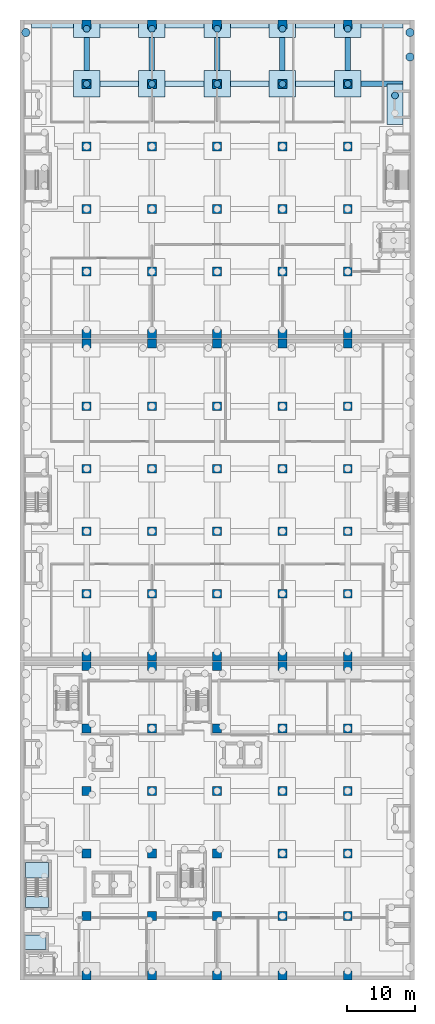
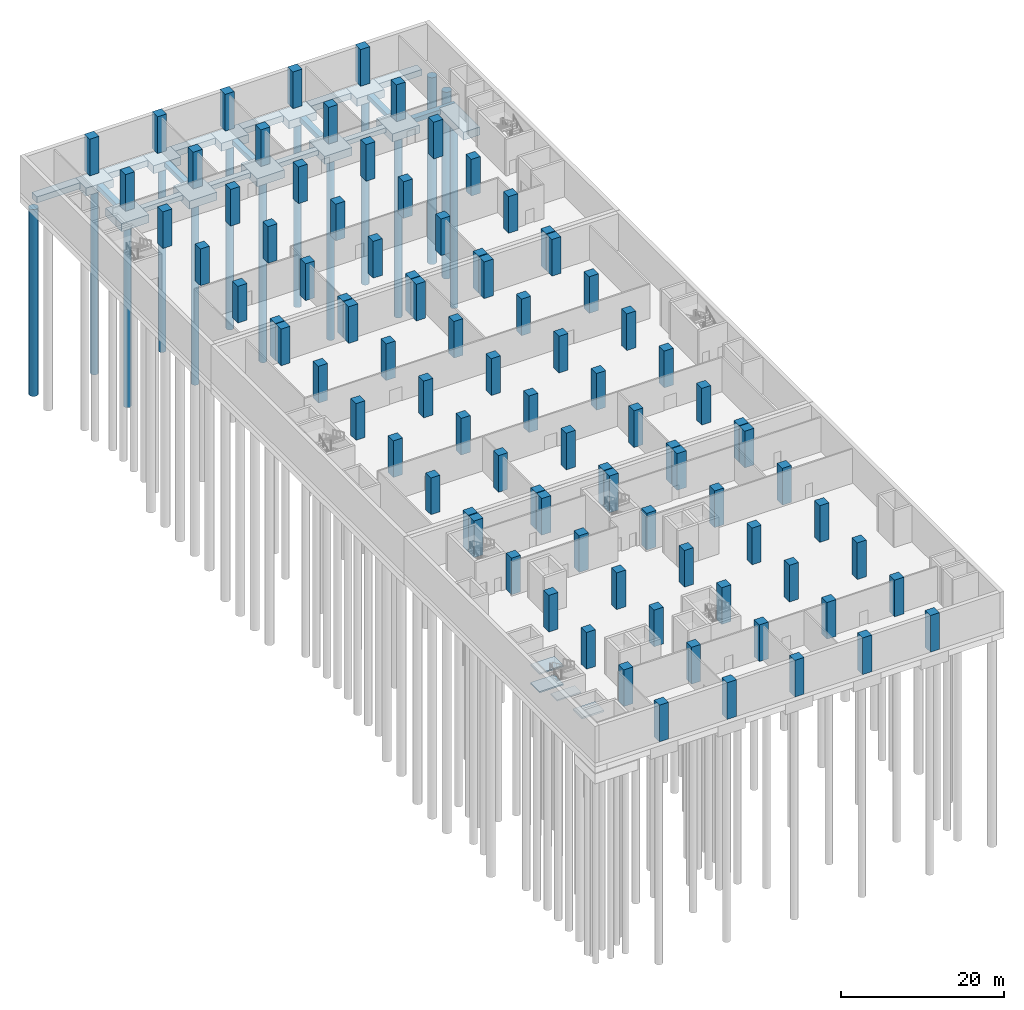
# One storey, part 8 of 33: 90 columns, 27 footings, 14 piles, 4 slabs, 1 element without a shape of its own.
"""IFC4 building model written with IfcOpenShell, lengths in metres."""

import ifcopenshell
import ifcopenshell.guid

model = None  # the IFC model being written
_history = None  # IfcOwnerHistory: only IFC2X3 demands one
_inside = {}  # id of a spatial element -> (the spatial element, [elements in it])
_under = {}  # id of a project, library or spatial element -> (it, [spatial elements below it])
_declared = {}  # id of a project -> (the project, [libraries it declares])
_typed = {}  # id of a type object -> (the type object, [elements of that type])
_made_of = {}  # id of a material, layer set ... -> (it, [elements and type objects made of it])


def new_model(schema):
    """Start an empty IFC model of exactly this schema.

    Asked for "IFC4X3", IfcOpenShell would pick the latest addendum, in which some entities
    have other attributes; the version numbers below select the first issue.
    IFC2X3 requires an IfcOwnerHistory on every rooted entity: one is made here for all.
    """
    global model, _history
    if schema == "IFC4X3":
        model = ifcopenshell.file(schema_version=(4, 3, 0, 0))
    else:
        model = ifcopenshell.file(schema=schema)
    _inside.clear()
    _under.clear()
    _declared.clear()
    _typed.clear()
    _made_of.clear()
    _history = None
    if model.schema == "IFC2X3":
        org = make("IfcOrganization", Name="unknown")
        user = make(
            "IfcPersonAndOrganization",
            ThePerson=make("IfcPerson", FamilyName="unknown"),
            TheOrganization=org,
        )
        app = make(
            "IfcApplication",
            ApplicationDeveloper=org,
            Version="unknown",
            ApplicationFullName="unknown",
            ApplicationIdentifier="unknown",
        )
        _history = make(
            "IfcOwnerHistory",
            OwningUser=user,
            OwningApplication=app,
            ChangeAction="ADDED",
            CreationDate=0,
        )
    return model


def make(cls, **values):
    """One entity of the class cls with the attributes given. An attribute that is None is left unset."""
    return model.create_entity(
        cls, **{name: value for name, value in values.items() if value is not None}
    )


def rooted(cls, **values):
    """An entity with a GlobalId (a new one), such as an element, a storey or a relation."""
    return make(cls, GlobalId=ifcopenshell.guid.new(), OwnerHistory=_history, **values)


def si_unit(unit_type, name, prefix=None):
    """IfcSIUnit, for example si_unit("LENGTHUNIT", "METRE", prefix="MILLI")."""
    return make("IfcSIUnit", UnitType=unit_type, Prefix=prefix, Name=name)


def assignment(units):
    """IfcUnitAssignment: the units of a project."""
    return None if units is None else make("IfcUnitAssignment", Units=units)


def point(xyz):
    """IfcCartesianPoint."""
    return None if xyz is None else make("IfcCartesianPoint", Coordinates=xyz)


def direction(xyz):
    """IfcDirection."""
    return None if xyz is None else make("IfcDirection", DirectionRatios=xyz)


def frame(location, z_axis=None, x_axis=None):
    """IfcAxis2Placement3D, a coordinate frame: its origin and axes. An axis left out is left unset."""
    return make(
        "IfcAxis2Placement3D",
        Location=point(location),
        Axis=direction(z_axis),
        RefDirection=direction(x_axis),
    )


def frame_2d(location, x_axis=None):
    """IfcAxis2Placement2D, a coordinate frame in the plane: its origin and x axis."""
    return make(
        "IfcAxis2Placement2D", Location=point(location), RefDirection=direction(x_axis)
    )


def origin():
    """The frame at (0, 0, 0) with its axes left unset."""
    return frame((0.0, 0.0, 0.0))


def origin_2d():
    """The frame at (0, 0) in the plane with its x axis left unset."""
    return frame_2d((0.0, 0.0))


def place(relative_to, where):
    """IfcLocalPlacement: puts the frame where relative to a parent placement (None: the world)."""
    return make(
        "IfcLocalPlacement", PlacementRelTo=relative_to, RelativePlacement=where
    )


def context(
    kind, dimensions, precision=None, world=None, true_north=None, identifier=None
):
    """IfcGeometricRepresentationContext, for example the 3D "Model" context."""
    return make(
        "IfcGeometricRepresentationContext",
        ContextIdentifier=identifier,
        ContextType=kind,
        CoordinateSpaceDimension=dimensions,
        Precision=precision,
        WorldCoordinateSystem=world,
        TrueNorth=true_north,
    )


def subcontext(parent, identifier, kind, view, scale=None):
    """IfcGeometricRepresentationSubContext, for example "Body" below "Model"."""
    return make(
        "IfcGeometricRepresentationSubContext",
        ContextIdentifier=identifier,
        ContextType=kind,
        ParentContext=parent,
        TargetScale=scale,
        TargetView=view,
    )


def project(units=None, contexts=None):
    """IfcProject with its units and contexts."""
    return rooted(
        "IfcProject",
        Name="project",
        RepresentationContexts=contexts,
        UnitsInContext=assignment(units),
    )


def spatial(cls, under=None, at=None, **own):
    """A site, building, storey or space (cls), placed at a placement, below another one or the project."""
    s = rooted(cls, ObjectPlacement=at, **own)
    if under is not None:
        _under.setdefault(under.id(), (under, []))[1].append(s)
    return s


def polyline(points):
    """IfcPolyline through the points."""
    return make("IfcPolyline", Points=[point(p) for p in points])


def profile(cls, at=None, kind="AREA", **sizes):
    """A parametric profile (cls). Its sizes go by their IFC names, for example OverallWidth=200.0."""
    return make(cls, ProfileType=kind, Position=at, **sizes)


def rectangle(**sizes):
    """IfcRectangleProfileDef."""
    return profile("IfcRectangleProfileDef", **sizes)


def circle(**sizes):
    """IfcCircleProfileDef."""
    return profile("IfcCircleProfileDef", **sizes)


def outline(outer, holes=None, kind="AREA"):
    """IfcArbitraryClosedProfileDef: a profile drawn as a closed curve; with holes, ...WithVoids."""
    if holes is None:
        return make("IfcArbitraryClosedProfileDef", ProfileType=kind, OuterCurve=outer)
    return make(
        "IfcArbitraryProfileDefWithVoids",
        ProfileType=kind,
        OuterCurve=outer,
        InnerCurves=holes,
    )


def extrude(swept, where, along, depth):
    """IfcExtrudedAreaSolid: the profile swept, set in the frame where, extruded along a direction by depth."""
    return make(
        "IfcExtrudedAreaSolid",
        SweptArea=swept,
        Position=where,
        ExtrudedDirection=direction(along),
        Depth=depth,
    )


def shape(context_of_items, identifier, shape_type, items):
    """IfcShapeRepresentation: the items that make up one representation, for example the "Body"."""
    return make(
        "IfcShapeRepresentation",
        ContextOfItems=context_of_items,
        RepresentationIdentifier=identifier,
        RepresentationType=shape_type,
        Items=items,
    )


def material(Name=None, Category=None):
    """IfcMaterial."""
    return make("IfcMaterial", Name=Name, Category=Category)


def layer(
    of_material, thickness, ventilated=None, Name=None, Category=None, Priority=None
):
    """IfcMaterialLayer: one layer of a wall or slab, of a material (None: an air gap)."""
    return make(
        "IfcMaterialLayer",
        Material=of_material,
        LayerThickness=thickness,
        IsVentilated=ventilated,
        Name=Name,
        Category=Category,
        Priority=Priority,
    )


def layer_set(layers, Name=None):
    """IfcMaterialLayerSet."""
    return make("IfcMaterialLayerSet", MaterialLayers=layers, LayerSetName=Name)


def material_profile(
    of_material, cross_section, Name=None, Category=None, Priority=None
):
    """IfcMaterialProfile: a cross section and its material."""
    return make(
        "IfcMaterialProfile",
        Name=Name,
        Material=of_material,
        Profile=cross_section,
        Priority=Priority,
        Category=Category,
    )


def profile_set(profiles, Name=None, composite=None):
    """IfcMaterialProfileSet."""
    return make(
        "IfcMaterialProfileSet",
        Name=Name,
        MaterialProfiles=profiles,
        CompositeProfile=composite,
    )


def made_of(thing, what):
    """Note that an element or type object is made of a material, layer set ...; save() writes the relation."""
    if what is not None:
        _made_of.setdefault(what.id(), (what, []))[1].append(thing)
    return thing


def type_object(cls, material=None, **own):
    """A type object (cls), such as IfcWallType, which elements share."""
    return made_of(rooted(cls, **own), material)


def element(
    cls,
    number,
    at=None,
    inside=None,
    cuts=None,
    type_object=None,
    material=None,
    context=None,
    identifier="Body",
    shape_type=None,
    held_by="IfcProductDefinitionShape",
    body=None,
    shapes=None,
    **own,
):
    """One element of the class cls, such as IfcWall. Its Tag is "e" and its number.

    at: its placement. inside: the storey or other place that contains it. cuts: it is an
    opening in that element (IfcRelVoidsElement). A single representation is given by context,
    identifier, shape_type and body (its items); several are given by shapes. held_by: the class
    of the entity that holds the representations. save() writes the other relations.
    """
    e = rooted(cls, Tag="e%d" % number, ObjectPlacement=at, **own)
    if body is not None:
        shapes = [shape(context, identifier, shape_type, body)]
    if shapes is not None:
        e.Representation = make(held_by, Representations=shapes)
    if inside is not None:
        _inside.setdefault(inside.id(), (inside, []))[1].append(e)
    if cuts is not None:
        rooted(
            "IfcRelVoidsElement", RelatingBuildingElement=cuts, RelatedOpeningElement=e
        )
    if type_object is not None:
        _typed.setdefault(type_object.id(), (type_object, []))[1].append(e)
    return made_of(e, material)


def aggregate(whole, parts):
    """IfcRelAggregates: a whole, such as a stair, and the parts it consists of."""
    return rooted("IfcRelAggregates", RelatingObject=whole, RelatedObjects=parts)


def save(model, path):
    """Write the relations noted so far, then the file.

    IfcRelAggregates (storeys below a building ...), IfcRelContainedInSpatialStructure (elements
    in a storey), IfcRelDefinesByType, IfcRelAssociatesMaterial and IfcRelDeclares: one each for
    every whole, place, type object, material and project.
    """
    for whole, parts in _under.values():
        aggregate(whole, parts)
    for where, things in _inside.values():
        rooted(
            "IfcRelContainedInSpatialStructure",
            RelatedElements=things,
            RelatingStructure=where,
        )
    for kind, things in _typed.values():
        rooted("IfcRelDefinesByType", RelatedObjects=things, RelatingType=kind)
    for what, things in _made_of.values():
        rooted("IfcRelAssociatesMaterial", RelatedObjects=things, RelatingMaterial=what)
    for by, libraries in _declared.values():
        rooted("IfcRelDeclares", RelatingContext=by, RelatedDefinitions=libraries)
    model.write(path)


model = new_model("IFC4")

# Units and contexts
model_context = context("Model", 3, precision=1e-05, world=origin(), true_north=direction((0.0, 1.0)))
body_context = subcontext(model_context, "Body", "Model", "MODEL_VIEW")
ifc_project = project(units=[si_unit("LENGTHUNIT", "METRE"), si_unit("AREAUNIT", "SQUARE_METRE"), si_unit("VOLUMEUNIT", "CUBIC_METRE"), si_unit("PLANEANGLEUNIT", "RADIAN"), si_unit("MASSUNIT", "GRAM", prefix="KILO")], contexts=[model_context])

# Site, building, storey
site_placement = place(None, origin())
site = spatial("IfcSite", under=ifc_project, at=site_placement, CompositionType="ELEMENT")
building_placement = place(site_placement, origin())
building = spatial("IfcBuilding", under=site, at=building_placement, Name="Nzadi Deep Aquarium and Research Tower", CompositionType="ELEMENT")
storey_placement = place(building_placement, frame((0.0, 0.0, -5.5)))
storey = spatial("IfcBuildingStorey", under=building, at=storey_placement, Name="B1", CompositionType="ELEMENT", Elevation=-5.5)

# Piles
ifc_material_1 = material(Name="Concrete C40/50", Category="concrete")
ifc_material_profile_1 = material_profile(ifc_material_1, circle(Radius=0.5, at=origin_2d()))
ifc_profile_set_1 = profile_set([ifc_material_profile_1], Name="Concrete C40/50")
pile_type_1 = type_object("IfcPileType", Name="Bored pile D1000", PredefinedType="BORED", material=ifc_profile_set_1)
for number, where, z_axis, x_axis, name in (
    (1, (54.949951171875, 129.900146484375, -1.699951171875), (0.0, 0.0, -1.0), (1.0, 0.0, 0.0), "P-Z3-24-2"),
    (2, (9.60009765625, 131.60009765625, -1.699951171875), (0.0, 0.0, -1.0), (1.0, 0.0, 0.0), "P-Z3-25-1"),
    (3, (19.199951171875, 131.60009765625, -1.699951171875), (0.0, 0.0, -1.0), (1.0, 0.0, 0.0), "P-Z3-26-1"),
    (4, (28.800048828125, 131.60009765625, -1.699951171875), (0.0, 0.0, -1.0), (1.0, 0.0, 0.0), "P-Z3-27-1"),
    (5, (38.39990234375, 131.60009765625, -1.699951171875), (0.0, 0.0, -1.0), (1.0, 0.0, 0.0), "P-Z3-28-1"),
    (6, (48.0, 131.60009765625, -1.699951171875), (0.0, 0.0, -1.0), (1.0, 0.0, 0.0), "P-Z3-29-1"),
    (7, (9.60009765625, 139.7001953125, -1.699951171875), (0.0, 0.0, -1.0), (1.0, 0.0, 0.0), "P-Z3-30-1"),
    (8, (19.2001953125, 139.7001953125, -1.699951171875), (0.0, 0.0, -1.0), (1.0, 0.0, 0.0), "P-Z3-31-1"),
    (9, (28.800048828125, 139.7001953125, -1.699951171875), (0.0, 0.0, -1.0), (1.0, 0.0, 0.0), "P-Z3-32-1"),
    (10, (38.400146484375, 139.7001953125, -1.699951171875), (0.0, 0.0, -1.0), (1.0, 0.0, 0.0), "P-Z3-33-1"),
    (11, (48.000244140625, 139.7001953125, -1.699951171875), (0.0, 0.0, -1.0), (1.0, 0.0, 0.0), "P-Z3-34-1"),
):
    element("IfcPile", number, at=place(storey_placement, frame(where, z_axis=z_axis, x_axis=x_axis)), inside=storey, type_object=pile_type_1, Name=name, PredefinedType="BORED", context=body_context, shape_type="SweptSolid", body=[
        extrude(circle(Radius=0.5, at=origin_2d()), origin(), (0.0, 0.0, 1.0), 28.0),
    ])
ifc_material_2 = material(Name="Concrete C40/50", Category="concrete")
ifc_material_profile_2 = material_profile(ifc_material_2, circle(Radius=0.60009765625, at=origin_2d()))
ifc_profile_set_2 = profile_set([ifc_material_profile_2], Name="Concrete C40/50")
pile_type_2 = type_object("IfcPileType", Name="Bored pile D1200", PredefinedType="BORED", material=ifc_profile_set_2)
for number, where, z_axis, x_axis, name in (
    (12, (0.64990234375, 139.159912109375, -1.39990234375), (0.0, 0.0, -1.0), (1.0, 0.0, 0.0), "P-Z3-Z3-W-7"),
    (13, (57.14990234375, 135.56005859375, -1.39990234375), (0.0, 0.0, -1.0), (1.0, 0.0, 0.0), "P-Z3-Z3-E-4"),
    (14, (57.14990234375, 139.159912109375, -1.39990234375), (0.0, 0.0, -1.0), (1.0, 0.0, 0.0), "P-Z3-Z3-E-5"),
):
    element("IfcPile", number, at=place(storey_placement, frame(where, z_axis=z_axis, x_axis=x_axis)), inside=storey, type_object=pile_type_2, Name=name, PredefinedType="BORED", context=body_context, shape_type="SweptSolid", body=[
        extrude(circle(Radius=0.60009765625, at=origin_2d()), origin(), (0.0, 0.0, 1.0), 28.0),
    ])

# Footings
ifc_material_3 = material(Name="Concrete C40/50", Category="concrete")
ifc_layer_1 = layer(ifc_material_3, 0.699951171875)
ifc_layer_set_1 = layer_set([ifc_layer_1], Name="Concrete C40/50")
footing_type_1 = type_object("IfcFootingType", Name="RC ground beam 700", PredefinedType="FOOTING_BEAM", material=ifc_layer_set_1)
footing_1_placement = place(storey_placement, frame((0.0, 0.0, -1.300048828125)))
element("IfcFooting", 15, at=footing_1_placement, inside=storey, type_object=footing_type_1, Name="SF-Z3-TX17-2", PredefinedType="FOOTING_BEAM", context=body_context, shape_type="SweptSolid", body=[
    extrude(outline(polyline([(17.25, 132.0), (11.550048828125, 132.0), (11.550048828125, 131.199951171875), (17.25, 131.199951171875), (17.25, 132.0)])), origin(), (0.0, 0.0, 1.0), 0.699951171875),
])
footing_2_placement = place(storey_placement, frame((0.0, 0.0, -1.300048828125)))
element("IfcFooting", 16, at=footing_2_placement, inside=storey, type_object=footing_type_1, Name="SF-Z3-TX17-3", PredefinedType="FOOTING_BEAM", context=body_context, shape_type="SweptSolid", body=[
    extrude(outline(polyline([(26.85009765625, 132.0), (21.14990234375, 132.0), (21.14990234375, 131.199951171875), (26.85009765625, 131.199951171875), (26.85009765625, 132.0)])), origin(), (0.0, 0.0, 1.0), 0.699951171875),
])
footing_3_placement = place(storey_placement, frame((0.0, 0.0, -1.300048828125)))
element("IfcFooting", 17, at=footing_3_placement, inside=storey, type_object=footing_type_1, Name="SF-Z3-TX17-4", PredefinedType="FOOTING_BEAM", context=body_context, shape_type="SweptSolid", body=[
    extrude(outline(polyline([(36.449951171875, 132.0), (30.75, 132.0), (30.75, 131.199951171875), (36.449951171875, 131.199951171875), (36.449951171875, 132.0)])), origin(), (0.0, 0.0, 1.0), 0.699951171875),
])
footing_4_placement = place(storey_placement, frame((0.0, 0.0, -1.300048828125)))
element("IfcFooting", 18, at=footing_4_placement, inside=storey, type_object=footing_type_1, Name="SF-Z3-TX17-5", PredefinedType="FOOTING_BEAM", context=body_context, shape_type="SweptSolid", body=[
    extrude(outline(polyline([(46.050048828125, 132.0), (40.35009765625, 132.0), (40.35009765625, 131.199951171875), (46.050048828125, 131.199951171875), (46.050048828125, 132.0)])), origin(), (0.0, 0.0, 1.0), 0.699951171875),
])
footing_5_placement = place(storey_placement, frame((0.0, 0.0, -1.300048828125)))
element("IfcFooting", 19, at=footing_5_placement, inside=storey, type_object=footing_type_1, Name="SF-Z3-TX17-6", PredefinedType="FOOTING_BEAM", context=body_context, shape_type="SweptSolid", body=[
    extrude(outline(polyline([(56.10009765625, 131.598876953125), (56.10009765625, 132.0), (49.949951171875, 132.0), (49.949951171875, 131.199951171875), (53.800048828125, 131.199951171875), (53.800048828125, 131.598876953125), (53.800048828125, 131.599853515625), (53.80126953125, 131.60009765625), (56.098876953125, 131.60009765625), (56.099853515625, 131.599853515625), (56.10009765625, 131.598876953125)])), origin(), (0.0, 0.0, 1.0), 0.699951171875),
])
footing_6_placement = place(storey_placement, frame((0.0, 0.0, -1.300048828125)))
element("IfcFooting", 20, at=footing_6_placement, inside=storey, type_object=footing_type_1, Name="SF-Z3-TYB-5", PredefinedType="FOOTING_BEAM", context=body_context, shape_type="SweptSolid", body=[
    extrude(outline(polyline([(10.0, 133.550048828125), (10.0, 138.39990234375), (9.199951171875, 138.39990234375), (9.199951171875, 133.550048828125), (10.0, 133.550048828125)])), origin(), (0.0, 0.0, 1.0), 0.699951171875),
])
footing_7_placement = place(storey_placement, frame((0.0, 0.0, -1.300048828125)))
element("IfcFooting", 21, at=footing_7_placement, inside=storey, type_object=footing_type_1, Name="SF-Z3-TYC-5", PredefinedType="FOOTING_BEAM", context=body_context, shape_type="SweptSolid", body=[
    extrude(outline(polyline([(19.60009765625, 133.550048828125), (19.60009765625, 138.39990234375), (18.800048828125, 138.39990234375), (18.800048828125, 133.550048828125), (19.60009765625, 133.550048828125)])), origin(), (0.0, 0.0, 1.0), 0.699951171875),
])
footing_8_placement = place(storey_placement, frame((0.0, 0.0, -1.300048828125)))
element("IfcFooting", 22, at=footing_8_placement, inside=storey, type_object=footing_type_1, Name="SF-Z3-TYD-5", PredefinedType="FOOTING_BEAM", context=body_context, shape_type="SweptSolid", body=[
    extrude(outline(polyline([(29.199951171875, 133.550048828125), (29.199951171875, 138.39990234375), (28.39990234375, 138.39990234375), (28.39990234375, 133.550048828125), (29.199951171875, 133.550048828125)])), origin(), (0.0, 0.0, 1.0), 0.699951171875),
])
footing_9_placement = place(storey_placement, frame((0.0, 0.0, -1.300048828125)))
element("IfcFooting", 23, at=footing_9_placement, inside=storey, type_object=footing_type_1, Name="SF-Z3-TYE-5", PredefinedType="FOOTING_BEAM", context=body_context, shape_type="SweptSolid", body=[
    extrude(outline(polyline([(38.800048828125, 133.550048828125), (38.800048828125, 138.39990234375), (38.0, 138.39990234375), (38.0, 133.550048828125), (38.800048828125, 133.550048828125)])), origin(), (0.0, 0.0, 1.0), 0.699951171875),
])
footing_10_placement = place(storey_placement, frame((0.0, 0.0, -1.300048828125)))
element("IfcFooting", 24, at=footing_10_placement, inside=storey, type_object=footing_type_1, Name="SF-Z3-TYF-5", PredefinedType="FOOTING_BEAM", context=body_context, shape_type="SweptSolid", body=[
    extrude(outline(polyline([(48.39990234375, 133.550048828125), (48.39990234375, 138.39990234375), (47.60009765625, 138.39990234375), (47.60009765625, 133.550048828125), (48.39990234375, 133.550048828125)])), origin(), (0.0, 0.0, 1.0), 0.699951171875),
])
ifc_material_4 = material(Name="Concrete C40/50", Category="concrete")
ifc_layer_2 = layer(ifc_material_4, 1.199951171875)
ifc_layer_set_2 = layer_set([ifc_layer_2], Name="Concrete C40/50")
footing_type_2 = type_object("IfcFootingType", Name="RC pile cap 1200", PredefinedType="PILE_CAP", material=ifc_layer_set_2)
footing_11_placement = place(storey_placement, frame((0.0, 0.0, -1.800048828125)))
element("IfcFooting", 25, at=footing_11_placement, inside=storey, type_object=footing_type_2, Name="PC-Z3-24", PredefinedType="PILE_CAP", context=body_context, shape_type="SweptSolid", body=[
    extrude(outline(polyline([(53.800048828125, 131.598876953125), (53.800048828125, 125.601318359375), (53.800048828125, 125.60009765625), (53.80126953125, 125.60009765625), (56.098876953125, 125.60009765625), (56.099853515625, 125.60009765625), (56.10009765625, 125.601318359375), (56.10009765625, 131.598876953125), (56.099853515625, 131.599853515625), (56.098876953125, 131.60009765625), (53.80126953125, 131.60009765625), (53.800048828125, 131.599853515625), (53.800048828125, 131.598876953125)])), origin(), (0.0, 0.0, 1.0), 1.199951171875),
])
footing_12_placement = place(storey_placement, frame((0.0, 0.0, -1.800048828125)))
element("IfcFooting", 26, at=footing_12_placement, inside=storey, type_object=footing_type_2, Name="PC-Z3-25", PredefinedType="PILE_CAP", context=body_context, shape_type="SweptSolid", body=[
    extrude(outline(polyline([(7.64990234375, 133.548828125), (7.64990234375, 129.651123046875), (7.650146484375, 129.650146484375), (7.651123046875, 129.64990234375), (11.548828125, 129.64990234375), (11.550048828125, 129.650146484375), (11.550048828125, 129.651123046875), (11.550048828125, 133.548828125), (11.550048828125, 133.550048828125), (11.548828125, 133.550048828125), (7.651123046875, 133.550048828125), (7.650146484375, 133.550048828125), (7.64990234375, 133.548828125)])), origin(), (0.0, 0.0, 1.0), 1.199951171875),
])
footing_13_placement = place(storey_placement, frame((0.0, 0.0, -1.800048828125)))
element("IfcFooting", 27, at=footing_13_placement, inside=storey, type_object=footing_type_2, Name="PC-Z3-26", PredefinedType="PILE_CAP", context=body_context, shape_type="SweptSolid", body=[
    extrude(outline(polyline([(17.25, 133.548828125), (17.25, 129.651123046875), (17.25, 129.650146484375), (17.251220703125, 129.64990234375), (21.148681640625, 129.64990234375), (21.14990234375, 129.650146484375), (21.14990234375, 129.651123046875), (21.14990234375, 133.548828125), (21.14990234375, 133.550048828125), (21.148681640625, 133.550048828125), (17.251220703125, 133.550048828125), (17.25, 133.550048828125), (17.25, 133.548828125)])), origin(), (0.0, 0.0, 1.0), 1.199951171875),
])
footing_14_placement = place(storey_placement, frame((0.0, 0.0, -1.800048828125)))
element("IfcFooting", 28, at=footing_14_placement, inside=storey, type_object=footing_type_2, Name="PC-Z3-27", PredefinedType="PILE_CAP", context=body_context, shape_type="SweptSolid", body=[
    extrude(outline(polyline([(26.85009765625, 133.548828125), (26.85009765625, 129.651123046875), (26.85009765625, 129.650146484375), (26.851318359375, 129.64990234375), (30.748779296875, 129.64990234375), (30.75, 129.650146484375), (30.75, 129.651123046875), (30.75, 133.548828125), (30.75, 133.550048828125), (30.748779296875, 133.550048828125), (26.851318359375, 133.550048828125), (26.85009765625, 133.550048828125), (26.85009765625, 133.548828125)])), origin(), (0.0, 0.0, 1.0), 1.199951171875),
])
footing_15_placement = place(storey_placement, frame((0.0, 0.0, -1.800048828125)))
element("IfcFooting", 29, at=footing_15_placement, inside=storey, type_object=footing_type_2, Name="PC-Z3-28", PredefinedType="PILE_CAP", context=body_context, shape_type="SweptSolid", body=[
    extrude(outline(polyline([(36.449951171875, 133.548828125), (36.449951171875, 129.651123046875), (36.449951171875, 129.650146484375), (36.451171875, 129.64990234375), (40.348876953125, 129.64990234375), (40.349853515625, 129.650146484375), (40.35009765625, 129.651123046875), (40.35009765625, 133.548828125), (40.349853515625, 133.550048828125), (40.348876953125, 133.550048828125), (36.451171875, 133.550048828125), (36.449951171875, 133.550048828125), (36.449951171875, 133.548828125)])), origin(), (0.0, 0.0, 1.0), 1.199951171875),
])
footing_16_placement = place(storey_placement, frame((0.0, 0.0, -1.800048828125)))
element("IfcFooting", 30, at=footing_16_placement, inside=storey, type_object=footing_type_2, Name="PC-Z3-29", PredefinedType="PILE_CAP", context=body_context, shape_type="SweptSolid", body=[
    extrude(outline(polyline([(46.050048828125, 133.548828125), (46.050048828125, 129.651123046875), (46.050048828125, 129.650146484375), (46.05126953125, 129.64990234375), (49.94873046875, 129.64990234375), (49.949951171875, 129.650146484375), (49.949951171875, 129.651123046875), (49.949951171875, 133.548828125), (49.949951171875, 133.550048828125), (49.94873046875, 133.550048828125), (46.05126953125, 133.550048828125), (46.050048828125, 133.550048828125), (46.050048828125, 133.548828125)])), origin(), (0.0, 0.0, 1.0), 1.199951171875),
])
footing_17_placement = place(storey_placement, frame((0.0, 0.0, -1.800048828125)))
element("IfcFooting", 31, at=footing_17_placement, inside=storey, type_object=footing_type_2, Name="PC-Z3-30", PredefinedType="PILE_CAP", context=body_context, shape_type="SweptSolid", body=[
    extrude(outline(polyline([(7.64990234375, 141.0), (7.64990234375, 138.401123046875), (7.650146484375, 138.400146484375), (7.651123046875, 138.39990234375), (11.548828125, 138.39990234375), (11.550048828125, 138.400146484375), (11.550048828125, 138.401123046875), (11.550048828125, 141.0), (7.64990234375, 141.0)])), origin(), (0.0, 0.0, 1.0), 1.199951171875),
])
footing_18_placement = place(storey_placement, frame((0.0, 0.0, -1.800048828125)))
element("IfcFooting", 32, at=footing_18_placement, inside=storey, type_object=footing_type_2, Name="PC-Z3-31", PredefinedType="PILE_CAP", context=body_context, shape_type="SweptSolid", body=[
    extrude(outline(polyline([(17.25, 141.0), (17.25, 138.401123046875), (17.25, 138.400146484375), (17.251220703125, 138.39990234375), (21.148681640625, 138.39990234375), (21.14990234375, 138.400146484375), (21.14990234375, 138.401123046875), (21.14990234375, 141.0), (17.25, 141.0)])), origin(), (0.0, 0.0, 1.0), 1.199951171875),
])
footing_19_placement = place(storey_placement, frame((0.0, 0.0, -1.800048828125)))
element("IfcFooting", 33, at=footing_19_placement, inside=storey, type_object=footing_type_2, Name="PC-Z3-32", PredefinedType="PILE_CAP", context=body_context, shape_type="SweptSolid", body=[
    extrude(outline(polyline([(26.85009765625, 141.0), (26.85009765625, 138.401123046875), (26.85009765625, 138.400146484375), (26.851318359375, 138.39990234375), (30.748779296875, 138.39990234375), (30.75, 138.400146484375), (30.75, 138.401123046875), (30.75, 141.0), (26.85009765625, 141.0)])), origin(), (0.0, 0.0, 1.0), 1.199951171875),
])
footing_20_placement = place(storey_placement, frame((0.0, 0.0, -1.800048828125)))
element("IfcFooting", 34, at=footing_20_placement, inside=storey, type_object=footing_type_2, Name="PC-Z3-33", PredefinedType="PILE_CAP", context=body_context, shape_type="SweptSolid", body=[
    extrude(outline(polyline([(36.449951171875, 141.0), (36.449951171875, 138.401123046875), (36.449951171875, 138.400146484375), (36.451171875, 138.39990234375), (40.348876953125, 138.39990234375), (40.349853515625, 138.400146484375), (40.35009765625, 138.401123046875), (40.35009765625, 141.0), (36.449951171875, 141.0)])), origin(), (0.0, 0.0, 1.0), 1.199951171875),
])
footing_21_placement = place(storey_placement, frame((0.0, 0.0, -1.800048828125)))
element("IfcFooting", 35, at=footing_21_placement, inside=storey, type_object=footing_type_2, Name="PC-Z3-34", PredefinedType="PILE_CAP", context=body_context, shape_type="SweptSolid", body=[
    extrude(outline(polyline([(46.050048828125, 141.0), (46.050048828125, 138.401123046875), (46.050048828125, 138.400146484375), (46.05126953125, 138.39990234375), (49.94873046875, 138.39990234375), (49.949951171875, 138.400146484375), (49.949951171875, 138.401123046875), (49.949951171875, 141.0), (46.050048828125, 141.0)])), origin(), (0.0, 0.0, 1.0), 1.199951171875),
])
ifc_material_5 = material(Name="Concrete C40/50", Category="concrete")
ifc_layer_3 = layer(ifc_material_5, 0.89990234375)
ifc_layer_set_3 = layer_set([ifc_layer_3], Name="Concrete C40/50")
footing_type_3 = type_object("IfcFootingType", Name="RC strip footing 900", PredefinedType="STRIP_FOOTING", material=ifc_layer_set_3)
footing_22_placement = place(storey_placement, frame((0.0, 0.0, -1.5)))
element("IfcFooting", 36, at=footing_22_placement, inside=storey, type_object=footing_type_3, Name="SF-Z3-N-1", PredefinedType="STRIP_FOOTING", context=body_context, shape_type="SweptSolid", body=[
    extrude(outline(polyline([(56.10009765625, 141.0), (49.949951171875, 141.0), (49.949951171875, 139.800048828125), (56.10009765625, 139.800048828125), (56.10009765625, 141.0)])), origin(), (0.0, 0.0, 1.0), 0.89990234375),
])
footing_23_placement = place(storey_placement, frame((0.0, 0.0, -1.5)))
element("IfcFooting", 37, at=footing_23_placement, inside=storey, type_object=footing_type_3, Name="SF-Z3-N-2", PredefinedType="STRIP_FOOTING", context=body_context, shape_type="SweptSolid", body=[
    extrude(outline(polyline([(46.050048828125, 141.0), (40.35009765625, 141.0), (40.35009765625, 139.800048828125), (46.050048828125, 139.800048828125), (46.050048828125, 141.0)])), origin(), (0.0, 0.0, 1.0), 0.89990234375),
])
footing_24_placement = place(storey_placement, frame((0.0, 0.0, -1.5)))
element("IfcFooting", 38, at=footing_24_placement, inside=storey, type_object=footing_type_3, Name="SF-Z3-N-3", PredefinedType="STRIP_FOOTING", context=body_context, shape_type="SweptSolid", body=[
    extrude(outline(polyline([(36.449951171875, 141.0), (30.75, 141.0), (30.75, 139.800048828125), (36.449951171875, 139.800048828125), (36.449951171875, 141.0)])), origin(), (0.0, 0.0, 1.0), 0.89990234375),
])
footing_25_placement = place(storey_placement, frame((0.0, 0.0, -1.5)))
element("IfcFooting", 39, at=footing_25_placement, inside=storey, type_object=footing_type_3, Name="SF-Z3-N-4", PredefinedType="STRIP_FOOTING", context=body_context, shape_type="SweptSolid", body=[
    extrude(outline(polyline([(26.85009765625, 141.0), (21.14990234375, 141.0), (21.14990234375, 139.800048828125), (26.85009765625, 139.800048828125), (26.85009765625, 141.0)])), origin(), (0.0, 0.0, 1.0), 0.89990234375),
])
footing_26_placement = place(storey_placement, frame((0.0, 0.0, -1.5)))
element("IfcFooting", 40, at=footing_26_placement, inside=storey, type_object=footing_type_3, Name="SF-Z3-N-5", PredefinedType="STRIP_FOOTING", context=body_context, shape_type="SweptSolid", body=[
    extrude(outline(polyline([(17.25, 141.0), (11.550048828125, 141.0), (11.550048828125, 139.800048828125), (17.25, 139.800048828125), (17.25, 141.0)])), origin(), (0.0, 0.0, 1.0), 0.89990234375),
])
footing_27_placement = place(storey_placement, frame((0.0, 0.0, -1.5)))
element("IfcFooting", 41, at=footing_27_placement, inside=storey, type_object=footing_type_3, Name="SF-Z3-N-6", PredefinedType="STRIP_FOOTING", context=body_context, shape_type="SweptSolid", body=[
    extrude(outline(polyline([(1.5, 139.800048828125), (7.64990234375, 139.800048828125), (7.64990234375, 141.0), (1.5, 141.0), (1.5, 139.800048828125)])), origin(), (0.0, 0.0, 1.0), 0.89990234375),
])

# Columns
ifc_material_6 = material(Name="Concrete C40/50", Category="concrete")
ifc_material_profile_3 = material_profile(ifc_material_6, rectangle(XDim=1.300048828125, YDim=1.300048828125, at=origin_2d()))
ifc_profile_set_3 = profile_set([ifc_material_profile_3], Name="Concrete C40/50")
column_type = type_object("IfcColumnType", Name="RC 1300x1300", PredefinedType="COLUMN", material=ifc_profile_set_3)
for number, where, z_axis, x_axis, name in (
    (42, (9.60009765625, 0.449951171875, 0.0), (0.0, 0.0, 1.0), (1.0, 0.0, 0.0), "C-Z1-B1-B1"),
    (43, (19.199951171875, 0.449951171875, 0.0), (0.0, 0.0, 1.0), (1.0, 0.0, 0.0), "C-Z1-B1-C1"),
    (44, (28.800048828125, 0.449951171875, 0.0), (0.0, 0.0, 1.0), (1.0, 0.0, 0.0), "C-Z1-B1-D1"),
    (45, (38.39990234375, 0.449951171875, 0.0), (0.0, 0.0, 1.0), (1.0, 0.0, 0.0), "C-Z1-B1-E1"),
    (46, (48.0, 0.449951171875, 0.0), (0.0, 0.0, 1.0), (1.0, 0.0, 0.0), "C-Z1-B1-F1"),
    (47, (9.60009765625, 9.199951171875, 0.0), (0.0, 0.0, 1.0), (1.0, 0.0, 0.0), "C-Z1-B1-B2"),
    (48, (19.199951171875, 9.199951171875, 0.0), (0.0, 0.0, 1.0), (1.0, 0.0, 0.0), "C-Z1-B1-C2"),
    (49, (28.800048828125, 9.199951171875, 0.0), (0.0, 0.0, 1.0), (1.0, 0.0, 0.0), "C-Z1-B1-D2"),
    (50, (38.39990234375, 9.199951171875, 0.0), (0.0, 0.0, 1.0), (1.0, 0.0, 0.0), "C-Z1-B1-E2"),
    (51, (48.0, 9.199951171875, 0.0), (0.0, 0.0, 1.0), (1.0, 0.0, 0.0), "C-Z1-B1-F2"),
    (52, (9.60009765625, 18.39990234375, 0.0), (0.0, 0.0, 1.0), (1.0, 0.0, 0.0), "C-Z1-B1-B3"),
    (53, (19.199951171875, 18.39990234375, 0.0), (0.0, 0.0, 1.0), (1.0, 0.0, 0.0), "C-Z1-B1-C3"),
    (54, (28.800048828125, 18.39990234375, 0.0), (0.0, 0.0, 1.0), (1.0, 0.0, 0.0), "C-Z1-B1-D3"),
    (55, (38.39990234375, 18.39990234375, 0.0), (0.0, 0.0, 1.0), (1.0, 0.0, 0.0), "C-Z1-B1-E3"),
    (56, (48.0, 18.39990234375, 0.0), (0.0, 0.0, 1.0), (1.0, 0.0, 0.0), "C-Z1-B1-F3"),
    (57, (9.60009765625, 27.60009765625, 0.0), (0.0, 0.0, 1.0), (1.0, 0.0, 0.0), "C-Z1-B1-B4"),
    (58, (19.199951171875, 27.60009765625, 0.0), (0.0, 0.0, 1.0), (1.0, 0.0, 0.0), "C-Z1-B1-C4"),
    (59, (28.800048828125, 27.60009765625, 0.0), (0.0, 0.0, 1.0), (1.0, 0.0, 0.0), "C-Z1-B1-D4"),
    (60, (38.39990234375, 27.60009765625, 0.0), (0.0, 0.0, 1.0), (1.0, 0.0, 0.0), "C-Z1-B1-E4"),
    (61, (48.0, 27.60009765625, 0.0), (0.0, 0.0, 1.0), (1.0, 0.0, 0.0), "C-Z1-B1-F4"),
    (62, (9.60009765625, 36.800048828125, 0.0), (0.0, 0.0, 1.0), (1.0, 0.0, 0.0), "C-Z1-B1-B5"),
    (63, (19.199951171875, 36.800048828125, 0.0), (0.0, 0.0, 1.0), (1.0, 0.0, 0.0), "C-Z1-B1-C5"),
    (64, (28.800048828125, 36.800048828125, 0.0), (0.0, 0.0, 1.0), (1.0, 0.0, 0.0), "C-Z1-B1-D5"),
    (65, (38.39990234375, 36.800048828125, 0.0), (0.0, 0.0, 1.0), (1.0, 0.0, 0.0), "C-Z1-B1-E5"),
    (66, (48.0, 36.800048828125, 0.0), (0.0, 0.0, 1.0), (1.0, 0.0, 0.0), "C-Z1-B1-F5"),
    (67, (9.60009765625, 46.0, 0.0), (0.0, 0.0, 1.0), (1.0, 0.0, 0.0), "C-Z1-B1-B6"),
    (68, (19.199951171875, 46.0, 0.0), (0.0, 0.0, 1.0), (1.0, 0.0, 0.0), "C-Z1-B1-C6"),
    (69, (28.800048828125, 46.0, 0.0), (0.0, 0.0, 1.0), (1.0, 0.0, 0.0), "C-Z1-B1-D6"),
    (70, (38.39990234375, 46.0, 0.0), (0.0, 0.0, 1.0), (1.0, 0.0, 0.0), "C-Z1-B1-E6"),
    (71, (48.0, 46.0, 0.0), (0.0, 0.0, 1.0), (1.0, 0.0, 0.0), "C-Z1-B1-F6"),
    (72, (9.60009765625, 47.39990234375, 0.0), (0.0, 0.0, 1.0), (1.0, 0.0, 0.0), "C-Z2-B1-B7"),
    (73, (19.199951171875, 47.39990234375, 0.0), (0.0, 0.0, 1.0), (1.0, 0.0, 0.0), "C-Z2-B1-C7"),
    (74, (28.800048828125, 47.39990234375, 0.0), (0.0, 0.0, 1.0), (1.0, 0.0, 0.0), "C-Z2-B1-D7"),
    (75, (38.39990234375, 47.39990234375, 0.0), (0.0, 0.0, 1.0), (1.0, 0.0, 0.0), "C-Z2-B1-E7"),
    (76, (48.0, 47.39990234375, 0.0), (0.0, 0.0, 1.0), (1.0, 0.0, 0.0), "C-Z2-B1-F7"),
    (77, (9.60009765625, 56.60009765625, 0.0), (0.0, 0.0, 1.0), (1.0, 0.0, 0.0), "C-Z2-B1-B8"),
    (78, (19.199951171875, 56.60009765625, 0.0), (0.0, 0.0, 1.0), (1.0, 0.0, 0.0), "C-Z2-B1-C8"),
    (79, (28.800048828125, 56.60009765625, 0.0), (0.0, 0.0, 1.0), (1.0, 0.0, 0.0), "C-Z2-B1-D8"),
    (80, (38.39990234375, 56.60009765625, 0.0), (0.0, 0.0, 1.0), (1.0, 0.0, 0.0), "C-Z2-B1-E8"),
    (81, (48.0, 56.60009765625, 0.0), (0.0, 0.0, 1.0), (1.0, 0.0, 0.0), "C-Z2-B1-F8"),
    (82, (9.60009765625, 65.800048828125, 0.0), (0.0, 0.0, 1.0), (1.0, 0.0, 0.0), "C-Z2-B1-B9"),
    (83, (19.199951171875, 65.800048828125, 0.0), (0.0, 0.0, 1.0), (1.0, 0.0, 0.0), "C-Z2-B1-C9"),
    (84, (28.800048828125, 65.800048828125, 0.0), (0.0, 0.0, 1.0), (1.0, 0.0, 0.0), "C-Z2-B1-D9"),
    (85, (38.39990234375, 65.800048828125, 0.0), (0.0, 0.0, 1.0), (1.0, 0.0, 0.0), "C-Z2-B1-E9"),
    (86, (48.0, 65.800048828125, 0.0), (0.0, 0.0, 1.0), (1.0, 0.0, 0.0), "C-Z2-B1-F9"),
    (87, (9.60009765625, 75.0, 0.0), (0.0, 0.0, 1.0), (1.0, 0.0, 0.0), "C-Z2-B1-B10"),
    (88, (19.199951171875, 75.0, 0.0), (0.0, 0.0, 1.0), (1.0, 0.0, 0.0), "C-Z2-B1-C10"),
    (89, (28.800048828125, 75.0, 0.0), (0.0, 0.0, 1.0), (1.0, 0.0, 0.0), "C-Z2-B1-D10"),
    (90, (38.39990234375, 75.0, 0.0), (0.0, 0.0, 1.0), (1.0, 0.0, 0.0), "C-Z2-B1-E10"),
    (91, (48.0, 75.0, 0.0), (0.0, 0.0, 1.0), (1.0, 0.0, 0.0), "C-Z2-B1-F10"),
    (92, (9.60009765625, 84.199951171875, 0.0), (0.0, 0.0, 1.0), (1.0, 0.0, 0.0), "C-Z2-B1-B11"),
    (93, (19.199951171875, 84.199951171875, 0.0), (0.0, 0.0, 1.0), (1.0, 0.0, 0.0), "C-Z2-B1-C11"),
    (94, (28.800048828125, 84.199951171875, 0.0), (0.0, 0.0, 1.0), (1.0, 0.0, 0.0), "C-Z2-B1-D11"),
    (95, (38.39990234375, 84.199951171875, 0.0), (0.0, 0.0, 1.0), (1.0, 0.0, 0.0), "C-Z2-B1-E11"),
    (96, (48.0, 84.199951171875, 0.0), (0.0, 0.0, 1.0), (1.0, 0.0, 0.0), "C-Z2-B1-F11"),
    (97, (9.60009765625, 93.39990234375, 0.0), (0.0, 0.0, 1.0), (1.0, 0.0, 0.0), "C-Z2-B1-B12"),
    (98, (19.199951171875, 93.39990234375, 0.0), (0.0, 0.0, 1.0), (1.0, 0.0, 0.0), "C-Z2-B1-C12"),
    (99, (28.800048828125, 93.39990234375, 0.0), (0.0, 0.0, 1.0), (1.0, 0.0, 0.0), "C-Z2-B1-D12"),
    (100, (38.39990234375, 93.39990234375, 0.0), (0.0, 0.0, 1.0), (1.0, 0.0, 0.0), "C-Z2-B1-E12"),
    (101, (48.0, 93.39990234375, 0.0), (0.0, 0.0, 1.0), (1.0, 0.0, 0.0), "C-Z2-B1-F12"),
    (102, (9.60009765625, 94.800048828125, 0.0), (0.0, 0.0, 1.0), (1.0, 0.0, 0.0), "C-Z3-B1-B13"),
    (103, (19.199951171875, 94.800048828125, 0.0), (0.0, 0.0, 1.0), (1.0, 0.0, 0.0), "C-Z3-B1-C13"),
    (104, (28.800048828125, 94.800048828125, 0.0), (0.0, 0.0, 1.0), (1.0, 0.0, 0.0), "C-Z3-B1-D13"),
    (105, (38.39990234375, 94.800048828125, 0.0), (0.0, 0.0, 1.0), (1.0, 0.0, 0.0), "C-Z3-B1-E13"),
    (106, (48.0, 94.800048828125, 0.0), (0.0, 0.0, 1.0), (1.0, 0.0, 0.0), "C-Z3-B1-F13"),
    (107, (9.60009765625, 104.0, 0.0), (0.0, 0.0, 1.0), (1.0, 0.0, 0.0), "C-Z3-B1-B14"),
    (108, (19.199951171875, 104.0, 0.0), (0.0, 0.0, 1.0), (1.0, 0.0, 0.0), "C-Z3-B1-C14"),
    (109, (28.800048828125, 104.0, 0.0), (0.0, 0.0, 1.0), (1.0, 0.0, 0.0), "C-Z3-B1-D14"),
    (110, (38.39990234375, 104.0, 0.0), (0.0, 0.0, 1.0), (1.0, 0.0, 0.0), "C-Z3-B1-E14"),
    (111, (48.0, 104.0, 0.0), (0.0, 0.0, 1.0), (1.0, 0.0, 0.0), "C-Z3-B1-F14"),
    (112, (9.60009765625, 113.199951171875, 0.0), (0.0, 0.0, 1.0), (1.0, 0.0, 0.0), "C-Z3-B1-B15"),
    (113, (19.199951171875, 113.199951171875, 0.0), (0.0, 0.0, 1.0), (1.0, 0.0, 0.0), "C-Z3-B1-C15"),
    (114, (28.800048828125, 113.199951171875, 0.0), (0.0, 0.0, 1.0), (1.0, 0.0, 0.0), "C-Z3-B1-D15"),
    (115, (38.39990234375, 113.199951171875, 0.0), (0.0, 0.0, 1.0), (1.0, 0.0, 0.0), "C-Z3-B1-E15"),
    (116, (48.0, 113.199951171875, 0.0), (0.0, 0.0, 1.0), (1.0, 0.0, 0.0), "C-Z3-B1-F15"),
    (117, (9.60009765625, 122.39990234375, 0.0), (0.0, 0.0, 1.0), (1.0, 0.0, 0.0), "C-Z3-B1-B16"),
    (118, (19.199951171875, 122.39990234375, 0.0), (0.0, 0.0, 1.0), (1.0, 0.0, 0.0), "C-Z3-B1-C16"),
    (119, (28.800048828125, 122.39990234375, 0.0), (0.0, 0.0, 1.0), (1.0, 0.0, 0.0), "C-Z3-B1-D16"),
    (120, (38.39990234375, 122.39990234375, 0.0), (0.0, 0.0, 1.0), (1.0, 0.0, 0.0), "C-Z3-B1-E16"),
    (121, (48.0, 122.39990234375, 0.0), (0.0, 0.0, 1.0), (1.0, 0.0, 0.0), "C-Z3-B1-F16"),
    (122, (9.60009765625, 131.60009765625, 0.0), (0.0, 0.0, 1.0), (1.0, 0.0, 0.0), "C-Z3-B1-B17"),
    (123, (19.199951171875, 131.60009765625, 0.0), (0.0, 0.0, 1.0), (1.0, 0.0, 0.0), "C-Z3-B1-C17"),
    (124, (28.800048828125, 131.60009765625, 0.0), (0.0, 0.0, 1.0), (1.0, 0.0, 0.0), "C-Z3-B1-D17"),
    (125, (38.39990234375, 131.60009765625, 0.0), (0.0, 0.0, 1.0), (1.0, 0.0, 0.0), "C-Z3-B1-E17"),
    (126, (48.0, 131.60009765625, 0.0), (0.0, 0.0, 1.0), (1.0, 0.0, 0.0), "C-Z3-B1-F17"),
    (127, (9.60009765625, 140.35009765625, 0.0), (0.0, 0.0, 1.0), (1.0, 0.0, 0.0), "C-Z3-B1-B18"),
    (128, (19.199951171875, 140.35009765625, 0.0), (0.0, 0.0, 1.0), (1.0, 0.0, 0.0), "C-Z3-B1-C18"),
    (129, (28.800048828125, 140.35009765625, 0.0), (0.0, 0.0, 1.0), (1.0, 0.0, 0.0), "C-Z3-B1-D18"),
    (130, (38.39990234375, 140.35009765625, 0.0), (0.0, 0.0, 1.0), (1.0, 0.0, 0.0), "C-Z3-B1-E18"),
    (131, (48.0, 140.35009765625, 0.0), (0.0, 0.0, 1.0), (1.0, 0.0, 0.0), "C-Z3-B1-F18"),
):
    element("IfcColumn", number, at=place(storey_placement, frame(where, z_axis=z_axis, x_axis=x_axis)), inside=storey, type_object=column_type, Name=name, PredefinedType="COLUMN", context=body_context, shape_type="SweptSolid", body=[
        extrude(rectangle(XDim=1.300048828125, YDim=1.300048828125, at=origin_2d()), origin(), (0.0, 0.0, 1.0), 5.5),
    ])

# Stair, slabs
ifc_material_7 = material(Name="Concrete C35/45", Category="concrete")
stair_type = type_object("IfcStairType", Name="STAIR RETURN 3000", PredefinedType="NOTDEFINED", material=ifc_material_7)
stair_placement = place(storey_placement, origin())
stair = element("IfcStair", 132, at=stair_placement, inside=storey, type_object=stair_type, Name="Stair ST-Z1-SW B1", PredefinedType="DOUBLE_RETURN_STAIR")
ifc_material_8 = material(Name="Concrete C35/45", Category="concrete")
ifc_layer_4 = layer(ifc_material_8, 0.199951171875)
ifc_layer_set_4 = layer_set([ifc_layer_4], Name="Concrete C35/45")
slab_type_1 = type_object("IfcSlabType", Name="LANDING 200", PredefinedType="LANDING", material=ifc_layer_set_4)
slab_1_placement = place(storey_placement, frame((0.0, 0.0, 1.175048828125)))
slab_1 = element("IfcSlab", 133, at=slab_1_placement, type_object=slab_type_1, Name="ST-Z1-SW landing 1", PredefinedType="LANDING", context=body_context, shape_type="SweptSolid", body=[
    extrude(outline(polyline([(0.60009765625, 14.77001953125), (4.0, 14.77001953125), (4.0, 17.050048828125), (0.60009765625, 17.050048828125), (0.60009765625, 14.77001953125)])), origin(), (0.0, 0.0, 1.0), 0.199951171875),
])
slab_2_placement = place(storey_placement, frame((0.0, 0.0, 2.550048828125)))
slab_2 = element("IfcSlab", 134, at=slab_2_placement, type_object=slab_type_1, Name="ST-Z1-SW landing 2", PredefinedType="LANDING", context=body_context, shape_type="SweptSolid", body=[
    extrude(outline(polyline([(0.60009765625, 10.449951171875), (4.0, 10.449951171875), (4.0, 12.070068359375), (0.60009765625, 12.070068359375), (0.60009765625, 10.449951171875)])), origin(), (0.0, 0.0, 1.0), 0.199951171875),
])
slab_3_placement = place(storey_placement, frame((0.0, 0.0, 3.925048828125)))
slab_3 = element("IfcSlab", 135, at=slab_3_placement, type_object=slab_type_1, Name="ST-Z1-SW landing 3", PredefinedType="LANDING", context=body_context, shape_type="SweptSolid", body=[
    extrude(outline(polyline([(0.60009765625, 14.77001953125), (4.0, 14.77001953125), (4.0, 17.050048828125), (0.60009765625, 17.050048828125), (0.60009765625, 14.77001953125)])), origin(), (0.0, 0.0, 1.0), 0.199951171875),
])
aggregate(stair, [slab_1, slab_2, slab_3])

# Slab
ifc_material_9 = material(Name="Concrete C35/45", Category="concrete")
ifc_layer_5 = layer(ifc_material_9, 0.25)
ifc_layer_set_5 = layer_set([ifc_layer_5], Name="Concrete C35/45")
slab_type_2 = type_object("IfcSlabType", Name="RC floor slab 250", PredefinedType="FLOOR", material=ifc_layer_set_5)
slab_4_placement = place(storey_placement, frame((0.0, 0.0, 3.64990234375)))
element("IfcSlab", 136, at=slab_4_placement, inside=storey, type_object=slab_type_2, Name="Lift pit slab EL1", PredefinedType="FLOOR", context=body_context, shape_type="SweptSolid", body=[
    extrude(outline(polyline([(0.550048828125, 4.25), (3.64990234375, 4.25), (3.64990234375, 6.449951171875), (0.550048828125, 6.449951171875), (0.550048828125, 4.25)])), origin(), (0.0, 0.0, 1.0), 0.25),
])

save(model, "model.ifc")
